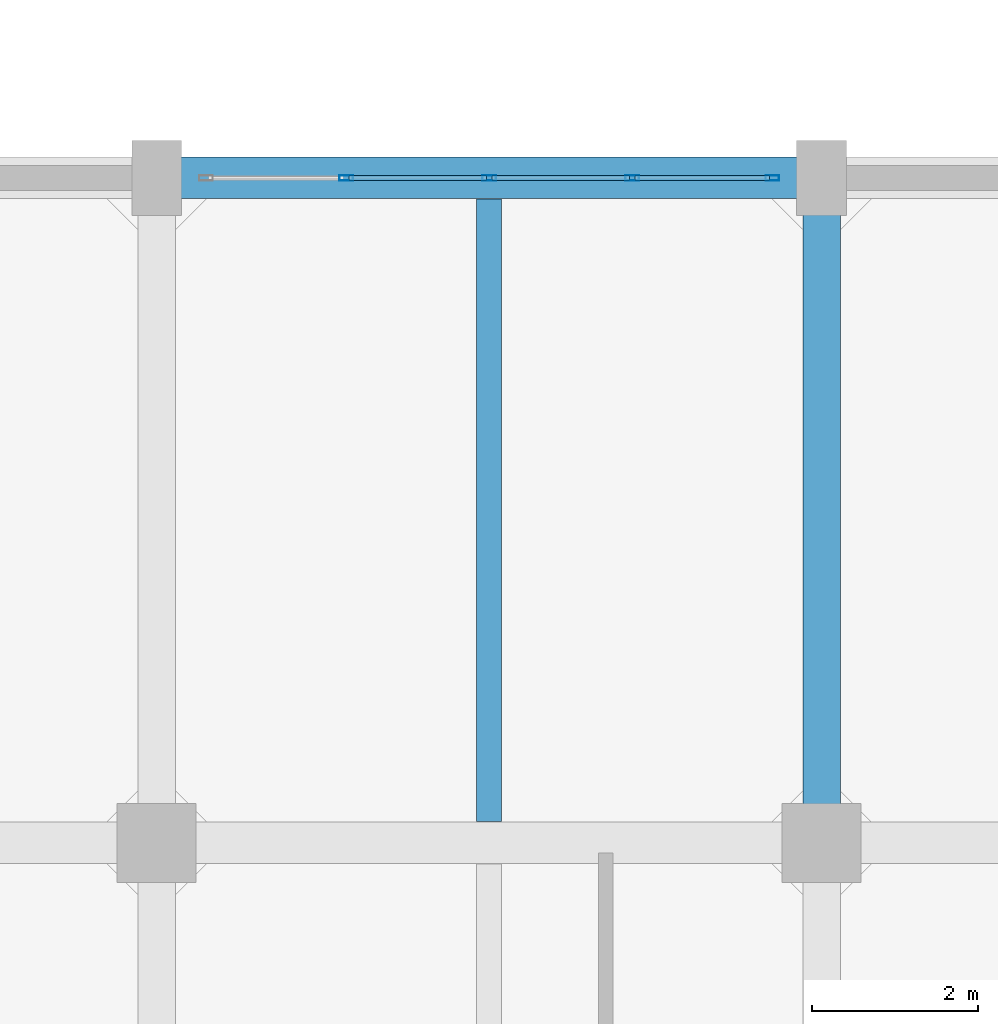
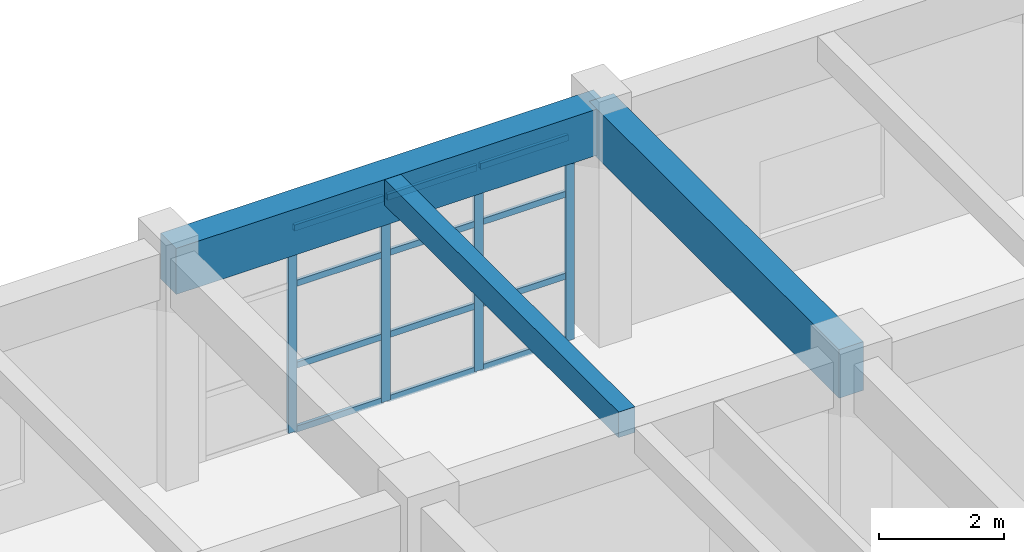
# One storey, part 194 of 248: 16 members, 3 beams, 1 element without a shape of its own.
"""IFC4 building model written with IfcOpenShell, lengths in metres."""

from ifc_helpers import new_model, si_unit, direction, frame, origin, origin_2d, place, context, subcontext, project, spatial, rectangle, hollow_rectangle, extrude, material, layer, layer_set, material_profile, profile_set, type_object, element, aggregate, save


model = new_model("IFC4")

# Units and contexts
model_context = context("Model", 3, precision=1e-05, world=origin(), true_north=direction((0.0, 1.0)))
body_context = subcontext(model_context, "Body", "Model", "MODEL_VIEW")
ifc_project = project(units=[si_unit("LENGTHUNIT", "METRE"), si_unit("AREAUNIT", "SQUARE_METRE"), si_unit("VOLUMEUNIT", "CUBIC_METRE"), si_unit("PLANEANGLEUNIT", "RADIAN"), si_unit("MASSUNIT", "GRAM", prefix="KILO")], contexts=[model_context])

# Site, building, storey
site_placement = place(None, origin())
site = spatial("IfcSite", under=ifc_project, at=site_placement, CompositionType="ELEMENT")
building_placement = place(site_placement, origin())
building = spatial("IfcBuilding", under=site, at=building_placement, Name="Canggui Botanical Conservatory", CompositionType="ELEMENT")
storey_placement = place(building_placement, frame((0.0, 0.0, 5.39990234375)))
storey = spatial("IfcBuildingStorey", under=building, at=storey_placement, Name="L02", CompositionType="ELEMENT", Elevation=5.39990234375)

# Beams
ifc_material_1 = material(Name="Concrete C35", Category="concrete")
ifc_material_profile_1 = material_profile(ifc_material_1, rectangle(XDim=0.300048828125, YDim=0.5, at=origin_2d()), Name="RB 300x500")
ifc_profile_set_1 = profile_set([ifc_material_profile_1], Name="Concrete C35")
beam_type_1 = type_object("IfcBeamType", Name="BM-JST02", PredefinedType="JOIST", material=ifc_profile_set_1)
beam_1_placement = place(storey_placement, frame((150.0, 74.2548828125, 4.27001953125), z_axis=(0.0, 1.0, 0.0), x_axis=(-1.0, 0.0, 0.0)))
element("IfcBeam", 1, at=beam_1_placement, inside=storey, type_object=beam_type_1, Name="Secondary Floor Joist L02-3-7", PredefinedType="JOIST", context=body_context, shape_type="SweptSolid", body=[
    extrude(rectangle(XDim=0.300048828125, YDim=0.5, at=origin_2d()), origin(), (0.0, 0.0, 1.0), 7.490234375),
])
ifc_material_profile_2 = material_profile(ifc_material_1, rectangle(XDim=0.5, YDim=0.89990234375, at=origin_2d()), Name="RB 500x900")
ifc_profile_set_2 = profile_set([ifc_material_profile_2], Name="Concrete C35")
beam_type_2 = type_object("IfcBeamType", Name="BM-KL03", PredefinedType="BEAM", material=ifc_profile_set_2)
beam_2_placement = place(storey_placement, frame((146.0, 82.0, 4.070068359375), z_axis=(1.0, 0.0, 0.0), x_axis=(0.0, 1.0, 0.0)))
element("IfcBeam", 2, at=beam_2_placement, inside=storey, type_object=beam_type_2, Name="Frame Girder L02 Y82-3", PredefinedType="BEAM", context=body_context, shape_type="SweptSolid", body=[
    extrude(rectangle(XDim=0.5, YDim=0.89990234375, at=origin_2d()), origin(), (0.0, 0.0, 1.0), 8.0),
])
ifc_material_profile_3 = material_profile(ifc_material_1, rectangle(XDim=0.449951171875, YDim=0.949951171875, at=origin_2d()), Name="RB 450x950")
ifc_profile_set_3 = profile_set([ifc_material_profile_3], Name="Concrete C35")
beam_type_3 = type_object("IfcBeamType", Name="BM-KL04", PredefinedType="BEAM", material=ifc_profile_set_3)
beam_3_placement = place(storey_placement, frame((154.0, 74.0, 4.045166015625), z_axis=(0.0, 1.0, 0.0), x_axis=(-1.0, 0.0, 0.0)))
element("IfcBeam", 3, at=beam_3_placement, inside=storey, type_object=beam_type_3, Name="Frame Girder L02 X154-7", PredefinedType="BEAM", context=body_context, shape_type="SweptSolid", body=[
    extrude(rectangle(XDim=0.449951171875, YDim=0.949951171875, at=origin_2d()), origin(), (0.0, 0.0, 1.0), 8.0),
])

# Curtain wall, members
ifc_material_2 = material(Name="Thermally Broken Aluminium", Category="aluminium")
ifc_layer = layer(ifc_material_2, 0.1650390625, Name="Thermally Broken Aluminium", Category="aluminium")
ifc_layer_set = layer_set([ifc_layer], Name="Thermally Broken Aluminium")
curtain_wall_type = type_object("IfcCurtainWallType", Name="CW-UNIT-B", PredefinedType="USERDEFINED", material=ifc_layer_set)
curtain_wall_placement = place(storey_placement, origin())
curtain_wall = element("IfcCurtainWall", 4, at=curtain_wall_placement, inside=storey, type_object=curtain_wall_type, Name="Facade Curtain Wall CW-TWR-L02-16", ObjectType="UNITISED CURTAIN WALL", PredefinedType="USERDEFINED")
ifc_material_profile_4 = material_profile(ifc_material_2, hollow_rectangle(XDim=0.06494140625, YDim=0.1650390625, WallThickness=0.00390625, at=origin_2d()), Name="CWM 65x165x4")
ifc_profile_set_4 = profile_set([ifc_material_profile_4], Name="Thermally Broken Aluminium")
member_type_1 = type_object("IfcMemberType", Name="CWM-02", PredefinedType="MULLION", material=ifc_profile_set_4)
member_1_placement = place(storey_placement, frame((148.280029296875, 82.0, 0.0), z_axis=(0.0, 0.0, 1.0), x_axis=(0.0, 1.0, 0.0)))
member_1 = element("IfcMember", 5, at=member_1_placement, type_object=member_type_1, Name="CW-02 mullion 2", PredefinedType="MULLION", context=body_context, shape_type="SweptSolid", body=[
    extrude(hollow_rectangle(XDim=0.06494140625, YDim=0.1650390625, WallThickness=0.00390625, at=origin_2d()), origin(), (0.0, 0.0, 1.0), 4.0),
])
member_2_placement = place(storey_placement, frame((150.0, 82.0, 0.0), z_axis=(0.0, 0.0, 1.0), x_axis=(0.0, 1.0, 0.0)))
member_2 = element("IfcMember", 6, at=member_2_placement, type_object=member_type_1, Name="CW-02 mullion 3", PredefinedType="MULLION", context=body_context, shape_type="SweptSolid", body=[
    extrude(hollow_rectangle(XDim=0.06494140625, YDim=0.1650390625, WallThickness=0.00390625, at=origin_2d()), origin(), (0.0, 0.0, 1.0), 4.0),
])
member_3_placement = place(storey_placement, frame((151.719970703125, 82.0, 0.0), z_axis=(0.0, 0.0, 1.0), x_axis=(0.0, 1.0, 0.0)))
member_3 = element("IfcMember", 7, at=member_3_placement, type_object=member_type_1, Name="CW-02 mullion 4", PredefinedType="MULLION", context=body_context, shape_type="SweptSolid", body=[
    extrude(hollow_rectangle(XDim=0.06494140625, YDim=0.1650390625, WallThickness=0.00390625, at=origin_2d()), origin(), (0.0, 0.0, 1.0), 4.0),
])
member_4_placement = place(storey_placement, frame((153.407470703125, 82.0, 0.0), z_axis=(0.0, 0.0, 1.0), x_axis=(0.0, 1.0, 0.0)))
member_4 = element("IfcMember", 8, at=member_4_placement, type_object=member_type_1, Name="CW-02 mullion 5", PredefinedType="MULLION", context=body_context, shape_type="SweptSolid", body=[
    extrude(hollow_rectangle(XDim=0.06494140625, YDim=0.1650390625, WallThickness=0.00390625, at=origin_2d()), origin(), (0.0, 0.0, 1.0), 4.0),
])
ifc_material_profile_5 = material_profile(ifc_material_2, hollow_rectangle(XDim=0.06005859375, YDim=0.1201171875, WallThickness=0.00341796875, at=origin_2d()), Name="CWT 60x120x3.5")
ifc_profile_set_5 = profile_set([ifc_material_profile_5], Name="Thermally Broken Aluminium")
member_type_2 = type_object("IfcMemberType", Name="CWT-02", PredefinedType="USERDEFINED", material=ifc_profile_set_5)
member_5_placement = place(storey_placement, frame((148.3125, 82.0, 0.030029296875), z_axis=(1.0, 0.0, 0.0), x_axis=(0.0, 1.0, 0.0)))
member_5 = element("IfcMember", 9, at=member_5_placement, type_object=member_type_2, Name="CW-02 transom 2.1", ObjectType="TRANSOM", PredefinedType="USERDEFINED", context=body_context, shape_type="SweptSolid", body=[
    extrude(hollow_rectangle(XDim=0.06005859375, YDim=0.1201171875, WallThickness=0.00341796875, at=origin_2d()), origin(), (0.0, 0.0, 1.0), 1.655029296875),
])
member_6_placement = place(storey_placement, frame((148.3125, 82.0, 1.280029296875), z_axis=(1.0, 0.0, 0.0), x_axis=(0.0, 1.0, 0.0)))
member_6 = element("IfcMember", 10, at=member_6_placement, type_object=member_type_2, Name="CW-02 transom 2.2", ObjectType="TRANSOM", PredefinedType="USERDEFINED", context=body_context, shape_type="SweptSolid", body=[
    extrude(hollow_rectangle(XDim=0.06005859375, YDim=0.1201171875, WallThickness=0.00341796875, at=origin_2d()), origin(), (0.0, 0.0, 1.0), 1.655029296875),
])
member_7_placement = place(storey_placement, frame((148.3125, 82.0, 2.880126953125), z_axis=(1.0, 0.0, 0.0), x_axis=(0.0, 1.0, 0.0)))
member_7 = element("IfcMember", 11, at=member_7_placement, type_object=member_type_2, Name="CW-02 transom 2.3", ObjectType="TRANSOM", PredefinedType="USERDEFINED", context=body_context, shape_type="SweptSolid", body=[
    extrude(hollow_rectangle(XDim=0.06005859375, YDim=0.1201171875, WallThickness=0.00341796875, at=origin_2d()), origin(), (0.0, 0.0, 1.0), 1.655029296875),
])
member_8_placement = place(storey_placement, frame((148.3125, 82.0, 3.97021484375), z_axis=(1.0, 0.0, 0.0), x_axis=(0.0, 1.0, 0.0)))
member_8 = element("IfcMember", 12, at=member_8_placement, type_object=member_type_2, Name="CW-02 transom 2.4", ObjectType="TRANSOM", PredefinedType="USERDEFINED", context=body_context, shape_type="SweptSolid", body=[
    extrude(hollow_rectangle(XDim=0.06005859375, YDim=0.1201171875, WallThickness=0.00341796875, at=origin_2d()), origin(), (0.0, 0.0, 1.0), 1.655029296875),
])
member_9_placement = place(storey_placement, frame((150.032470703125, 82.0, 0.030029296875), z_axis=(1.0, 0.0, 0.0), x_axis=(0.0, 1.0, 0.0)))
member_9 = element("IfcMember", 13, at=member_9_placement, type_object=member_type_2, Name="CW-02 transom 3.1", ObjectType="TRANSOM", PredefinedType="USERDEFINED", context=body_context, shape_type="SweptSolid", body=[
    extrude(hollow_rectangle(XDim=0.06005859375, YDim=0.1201171875, WallThickness=0.00341796875, at=origin_2d()), origin(), (0.0, 0.0, 1.0), 1.655029296875),
])
member_10_placement = place(storey_placement, frame((150.032470703125, 82.0, 1.280029296875), z_axis=(1.0, 0.0, 0.0), x_axis=(0.0, 1.0, 0.0)))
member_10 = element("IfcMember", 14, at=member_10_placement, type_object=member_type_2, Name="CW-02 transom 3.2", ObjectType="TRANSOM", PredefinedType="USERDEFINED", context=body_context, shape_type="SweptSolid", body=[
    extrude(hollow_rectangle(XDim=0.06005859375, YDim=0.1201171875, WallThickness=0.00341796875, at=origin_2d()), origin(), (0.0, 0.0, 1.0), 1.655029296875),
])
member_11_placement = place(storey_placement, frame((150.032470703125, 82.0, 2.880126953125), z_axis=(1.0, 0.0, 0.0), x_axis=(0.0, 1.0, 0.0)))
member_11 = element("IfcMember", 15, at=member_11_placement, type_object=member_type_2, Name="CW-02 transom 3.3", ObjectType="TRANSOM", PredefinedType="USERDEFINED", context=body_context, shape_type="SweptSolid", body=[
    extrude(hollow_rectangle(XDim=0.06005859375, YDim=0.1201171875, WallThickness=0.00341796875, at=origin_2d()), origin(), (0.0, 0.0, 1.0), 1.655029296875),
])
member_12_placement = place(storey_placement, frame((150.032470703125, 82.0, 3.97021484375), z_axis=(1.0, 0.0, 0.0), x_axis=(0.0, 1.0, 0.0)))
member_12 = element("IfcMember", 16, at=member_12_placement, type_object=member_type_2, Name="CW-02 transom 3.4", ObjectType="TRANSOM", PredefinedType="USERDEFINED", context=body_context, shape_type="SweptSolid", body=[
    extrude(hollow_rectangle(XDim=0.06005859375, YDim=0.1201171875, WallThickness=0.00341796875, at=origin_2d()), origin(), (0.0, 0.0, 1.0), 1.655029296875),
])
member_13_placement = place(storey_placement, frame((151.75244140625, 82.0, 0.030029296875), z_axis=(1.0, 0.0, 0.0), x_axis=(0.0, 1.0, 0.0)))
member_13 = element("IfcMember", 17, at=member_13_placement, type_object=member_type_2, Name="CW-02 transom 4.1", ObjectType="TRANSOM", PredefinedType="USERDEFINED", context=body_context, shape_type="SweptSolid", body=[
    extrude(hollow_rectangle(XDim=0.06005859375, YDim=0.1201171875, WallThickness=0.00341796875, at=origin_2d()), origin(), (0.0, 0.0, 1.0), 1.62255859375),
])
member_14_placement = place(storey_placement, frame((151.75244140625, 82.0, 1.280029296875), z_axis=(1.0, 0.0, 0.0), x_axis=(0.0, 1.0, 0.0)))
member_14 = element("IfcMember", 18, at=member_14_placement, type_object=member_type_2, Name="CW-02 transom 4.2", ObjectType="TRANSOM", PredefinedType="USERDEFINED", context=body_context, shape_type="SweptSolid", body=[
    extrude(hollow_rectangle(XDim=0.06005859375, YDim=0.1201171875, WallThickness=0.00341796875, at=origin_2d()), origin(), (0.0, 0.0, 1.0), 1.62255859375),
])
member_15_placement = place(storey_placement, frame((151.75244140625, 82.0, 2.880126953125), z_axis=(1.0, 0.0, 0.0), x_axis=(0.0, 1.0, 0.0)))
member_15 = element("IfcMember", 19, at=member_15_placement, type_object=member_type_2, Name="CW-02 transom 4.3", ObjectType="TRANSOM", PredefinedType="USERDEFINED", context=body_context, shape_type="SweptSolid", body=[
    extrude(hollow_rectangle(XDim=0.06005859375, YDim=0.1201171875, WallThickness=0.00341796875, at=origin_2d()), origin(), (0.0, 0.0, 1.0), 1.62255859375),
])
member_16_placement = place(storey_placement, frame((151.75244140625, 82.0, 3.97021484375), z_axis=(1.0, 0.0, 0.0), x_axis=(0.0, 1.0, 0.0)))
member_16 = element("IfcMember", 20, at=member_16_placement, type_object=member_type_2, Name="CW-02 transom 4.4", ObjectType="TRANSOM", PredefinedType="USERDEFINED", context=body_context, shape_type="SweptSolid", body=[
    extrude(hollow_rectangle(XDim=0.06005859375, YDim=0.1201171875, WallThickness=0.00341796875, at=origin_2d()), origin(), (0.0, 0.0, 1.0), 1.62255859375),
])
aggregate(curtain_wall, [member_1, member_2, member_3, member_4, member_5, member_6, member_7, member_8, member_9, member_10, member_11, member_12, member_13, member_14, member_15, member_16])

save(model, "model.ifc")
